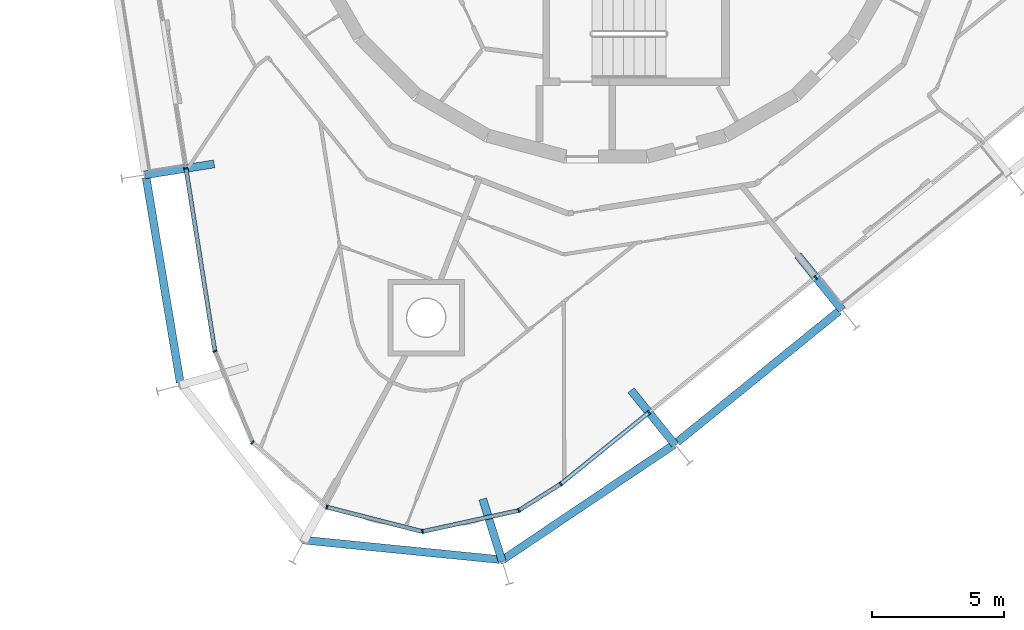
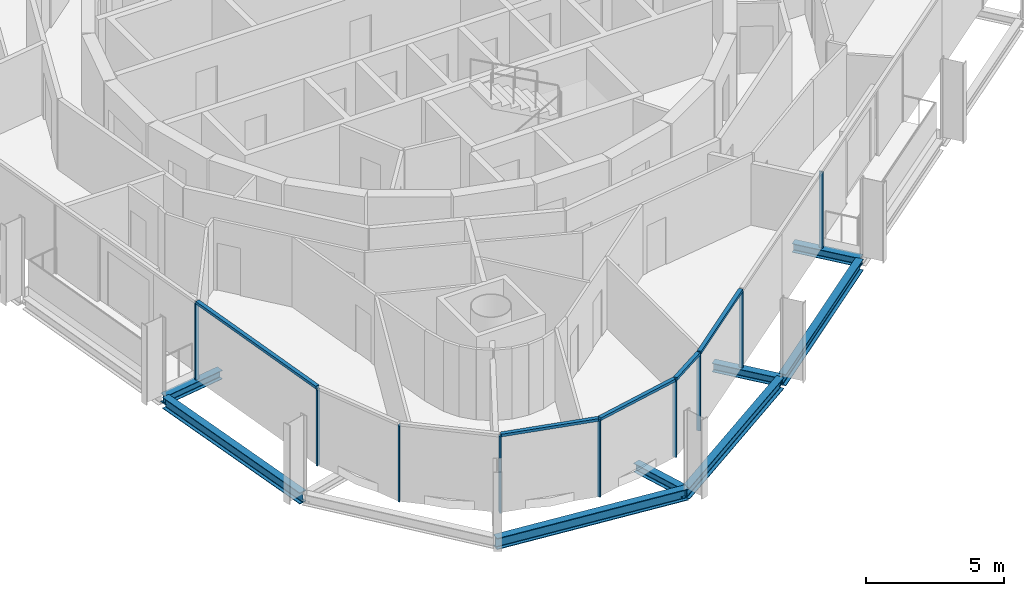
# One storey, part 2 of 18: 14 members, 8 beams, 2 elements without a shape of their own.
"""IFC4 building model written with IfcOpenShell, lengths in metres."""

from ifc_helpers import new_model, si_unit, direction, frame, origin, origin_2d, place, context, subcontext, project, spatial, rectangle, i_section, extrude, material, layer, layer_set, material_profile, profile_set, type_object, element, aggregate, save


model = new_model("IFC4")

# Units and contexts
model_context = context("Model", 3, precision=1e-05, world=origin(), true_north=direction((0.0, 1.0)))
body_context = subcontext(model_context, "Body", "Model", "MODEL_VIEW")
ifc_project = project(units=[si_unit("LENGTHUNIT", "METRE"), si_unit("AREAUNIT", "SQUARE_METRE"), si_unit("VOLUMEUNIT", "CUBIC_METRE"), si_unit("PLANEANGLEUNIT", "RADIAN"), si_unit("MASSUNIT", "GRAM", prefix="KILO")], contexts=[model_context])

# Site, building, storey
site_placement = place(None, origin())
site = spatial("IfcSite", under=ifc_project, at=site_placement, CompositionType="ELEMENT")
building_placement = place(site_placement, origin())
building = spatial("IfcBuilding", under=site, at=building_placement, Name="Spindle Arch Residences", CompositionType="ELEMENT")
storey_placement = place(building_placement, frame((0.0, 0.0, 280.89990234375)))
storey = spatial("IfcBuildingStorey", under=building, at=storey_placement, Name="L72", CompositionType="ELEMENT", Elevation=280.89990234375)

# Curtain wall, members
ifc_material_1 = material(Name="Aluminium bronze unitised frame with tinted glass", Category="aluminium")
ifc_layer_1 = layer(ifc_material_1, 0.159912109375)
ifc_layer_set_1 = layer_set([ifc_layer_1], Name="CW-D corner wall on the fillet arcs")
curtain_wall_type_1 = type_object("IfcCurtainWallType", Name="CW-D corner wall on the fillet arcs", PredefinedType="NOTDEFINED", material=ifc_layer_set_1)
curtain_wall_1_placement = place(storey_placement, origin())
curtain_wall_1 = element("IfcCurtainWall", 1, at=curtain_wall_1_placement, inside=storey, type_object=curtain_wall_type_1, Name="CW-D L72 run 5", PredefinedType="NOTDEFINED")
ifc_material_2 = material(Name="Aluminium bronze anodised mullion", Category="aluminium")
ifc_material_profile_1 = material_profile(ifc_material_2, rectangle(XDim=0.159912109375, YDim=0.06005859375, at=origin_2d()), Name="MU 60x160")
ifc_profile_set_1 = profile_set([ifc_material_profile_1], Name="Aluminium bronze anodised mullion")
member_type_1 = type_object("IfcMemberType", Name="Bronze mullion 60x160", PredefinedType="MULLION", material=ifc_profile_set_1)
member_1_placement = place(storey_placement, frame((-15.880615234375, -12.092041015625, -0.3798828125), z_axis=(0.0, 0.0, 1.0), x_axis=(0.987688340595, 0.15643446504, 0.0)))
member_1 = element("IfcMember", 2, at=member_1_placement, type_object=member_type_1, Name="CW-D mullion 00", PredefinedType="MULLION", context=body_context, shape_type="SweptSolid", body=[
    extrude(rectangle(XDim=0.159912109375, YDim=0.06005859375, at=origin_2d()), origin(), (0.0, 0.0, 1.0), 3.3798828125),
])
member_2_placement = place(storey_placement, frame((-14.787109375, -18.99560546875, -0.3798828125), z_axis=(0.0, 0.0, 1.0), x_axis=(0.92498880334, 0.379994360085, 0.0)))
member_2 = element("IfcMember", 3, at=member_2_placement, type_object=member_type_1, Name="CW-D mullion 01", PredefinedType="MULLION", context=body_context, shape_type="SweptSolid", body=[
    extrude(rectangle(XDim=0.159912109375, YDim=0.06005859375, at=origin_2d()), origin(), (0.0, 0.0, 1.0), 3.3798828125),
])
member_3_placement = place(storey_placement, frame((-13.370849609375, -22.44287109375, -0.3798828125), z_axis=(0.0, 0.0, 1.0), x_axis=(0.656059025711, 0.754709583074, 0.0)))
member_3 = element("IfcMember", 4, at=member_3_placement, type_object=member_type_1, Name="CW-D mullion 02", PredefinedType="MULLION", context=body_context, shape_type="SweptSolid", body=[
    extrude(rectangle(XDim=0.159912109375, YDim=0.06005859375, at=origin_2d()), origin(), (0.0, 0.0, 1.0), 3.3798828125),
])
member_4_placement = place(storey_placement, frame((-10.558349609375, -24.887939453125, -0.3798828125), z_axis=(0.0, 0.0, 1.0), x_axis=(0.247562720743, 0.968871869392, 0.0)))
member_4 = element("IfcMember", 5, at=member_4_placement, type_object=member_type_1, Name="CW-D mullion 03", PredefinedType="MULLION", context=body_context, shape_type="SweptSolid", body=[
    extrude(rectangle(XDim=0.159912109375, YDim=0.06005859375, at=origin_2d()), origin(), (0.0, 0.0, 1.0), 3.3798828125),
])
member_5_placement = place(storey_placement, frame((-6.947509765625, -25.810546875, -0.3798828125), z_axis=(0.0, 0.0, 1.0), x_axis=(-0.213598770213, 0.976921473489, 0.0)))
member_5 = element("IfcMember", 6, at=member_5_placement, type_object=member_type_1, Name="CW-D mullion 04", PredefinedType="MULLION", context=body_context, shape_type="SweptSolid", body=[
    extrude(rectangle(XDim=0.159912109375, YDim=0.06005859375, at=origin_2d()), origin(), (0.0, 0.0, 1.0), 3.3798828125),
])
member_6_placement = place(storey_placement, frame((-3.306884765625, -25.014404296875, -0.3798828125), z_axis=(0.0, 0.0, 1.0), x_axis=(-0.53484401224, 0.844950816658, 0.0)))
member_6 = element("IfcMember", 7, at=member_6_placement, type_object=member_type_1, Name="CW-D mullion 05", PredefinedType="MULLION", context=body_context, shape_type="SweptSolid", body=[
    extrude(rectangle(XDim=0.159912109375, YDim=0.06005859375, at=origin_2d()), origin(), (0.0, 0.0, 1.0), 3.3798828125),
])
member_7_placement = place(storey_placement, frame((-1.7216796875, -24.010986328125, -0.3798828125), z_axis=(0.0, 0.0, 1.0), x_axis=(-0.62932039105, 0.777145961457, 0.0)))
member_7 = element("IfcMember", 8, at=member_7_placement, type_object=member_type_1, Name="CW-D mullion 06", PredefinedType="MULLION", context=body_context, shape_type="SweptSolid", body=[
    extrude(rectangle(XDim=0.159912109375, YDim=0.06005859375, at=origin_2d()), origin(), (0.0, 0.0, 1.0), 3.3798828125),
])

ifc_material_3 = material(Name="Aluminium bronze unitised frame with tinted glass", Category="aluminium")
ifc_layer_2 = layer(ifc_material_3, 0.159912109375)
ifc_layer_set_2 = layer_set([ifc_layer_2], Name="CW-C typical residential unitised wall")
curtain_wall_type_2 = type_object("IfcCurtainWallType", Name="CW-C typical residential unitised wall", PredefinedType="NOTDEFINED", material=ifc_layer_set_2)
curtain_wall_2_placement = place(storey_placement, origin())
curtain_wall_2 = element("IfcCurtainWall", 9, at=curtain_wall_2_placement, inside=storey, type_object=curtain_wall_type_2, Name="CW-C L72 run 6", PredefinedType="NOTDEFINED")
member_8_placement = place(storey_placement, frame((1.610107421875, -21.31298828125, -0.3798828125), z_axis=(0.0, 0.0, 1.0), x_axis=(-0.62932039105, 0.777145961457, 0.0)))
member_8 = element("IfcMember", 10, at=member_8_placement, type_object=member_type_1, Name="CW-C mullion 18", PredefinedType="MULLION", context=body_context, shape_type="SweptSolid", body=[
    extrude(rectangle(XDim=0.159912109375, YDim=0.06005859375, at=origin_2d()), origin(), (0.0, 0.0, 1.0), 3.3798828125),
])
member_9_placement = place(storey_placement, frame((7.910888671875, -16.210693359375, -0.3798828125), z_axis=(0.0, 0.0, 1.0), x_axis=(-0.62932039105, 0.777145961457, 0.0)))
member_9 = element("IfcMember", 11, at=member_9_placement, type_object=member_type_1, Name="CW-C mullion 19", PredefinedType="MULLION", context=body_context, shape_type="SweptSolid", body=[
    extrude(rectangle(XDim=0.159912109375, YDim=0.06005859375, at=origin_2d()), origin(), (0.0, 0.0, 1.0), 3.3798828125),
])
aggregate(curtain_wall_2, [member_8, member_9])

# Member
ifc_material_4 = material(Name="Aluminium bronze anodised transom", Category="aluminium")
ifc_material_profile_2 = material_profile(ifc_material_4, rectangle(XDim=0.159912109375, YDim=0.1201171875, at=origin_2d()), Name="TR 120x160")
ifc_profile_set_2 = profile_set([ifc_material_profile_2], Name="Aluminium bronze anodised transom")
member_type_2 = type_object("IfcMemberType", Name="Bronze transom 120x160", PredefinedType="USERDEFINED", material=ifc_profile_set_2)
member_10_placement = place(storey_placement, frame((-15.875732421875, -12.12158203125, 3.06005859375), z_axis=(0.156423886955, -0.987690015941, 0.0), x_axis=(0.987690015941, 0.156423886955, 0.0)))
member_10 = element("IfcMember", 12, at=member_10_placement, type_object=member_type_2, Name="CW-D transom 00", ObjectType="TRANSOM", PredefinedType="USERDEFINED", context=body_context, shape_type="SweptSolid", body=[
    extrude(rectangle(XDim=0.159912109375, YDim=0.1201171875, at=origin_2d()), origin(), (0.0, 0.0, 1.0), 6.9296875),
])

member_11_placement = place(storey_placement, frame((-10.529296875, -24.895263671875, 3.06005859375), z_axis=(0.968876271824, -0.247545490561, 0.0), x_axis=(0.247545490561, 0.968876271824, 0.0)))
member_11 = element("IfcMember", 13, at=member_11_placement, type_object=member_type_2, Name="CW-D transom 03", ObjectType="TRANSOM", PredefinedType="USERDEFINED", context=body_context, shape_type="SweptSolid", body=[
    extrude(rectangle(XDim=0.159912109375, YDim=0.1201171875, at=origin_2d()), origin(), (0.0, 0.0, 1.0), 3.666748046875),
])

member_12_placement = place(storey_placement, frame((-6.918212890625, -25.803955078125, 3.06005859375), z_axis=(0.976920862917, 0.213601562721, 0.0), x_axis=(-0.213601562721, 0.976920862917, 0.0)))
member_12 = element("IfcMember", 14, at=member_12_placement, type_object=member_type_2, Name="CW-D transom 04", ObjectType="TRANSOM", PredefinedType="USERDEFINED", context=body_context, shape_type="SweptSolid", body=[
    extrude(rectangle(XDim=0.159912109375, YDim=0.1201171875, at=origin_2d()), origin(), (0.0, 0.0, 1.0), 3.666748046875),
])

member_13_placement = place(storey_placement, frame((-3.281494140625, -24.998291015625, 3.06005859375), z_axis=(0.844970968959, 0.534812174148, 0.0), x_axis=(-0.534812174148, 0.844970968959, 0.0)))
member_13 = element("IfcMember", 15, at=member_13_placement, type_object=member_type_2, Name="CW-D transom 05", ObjectType="TRANSOM", PredefinedType="USERDEFINED", context=body_context, shape_type="SweptSolid", body=[
    extrude(rectangle(XDim=0.159912109375, YDim=0.1201171875, at=origin_2d()), origin(), (0.0, 0.0, 1.0), 1.81591796875),
])

member_14_placement = place(storey_placement, frame((-1.6982421875, -23.9921875, 3.06005859375), z_axis=(0.777130537676, 0.629339437356, 0.0), x_axis=(-0.629339437356, 0.777130537676, 0.0)))
member_14 = element("IfcMember", 16, at=member_14_placement, type_object=member_type_2, Name="CW-D transom 06", ObjectType="TRANSOM", PredefinedType="USERDEFINED", context=body_context, shape_type="SweptSolid", body=[
    extrude(rectangle(XDim=0.159912109375, YDim=0.1201171875, at=origin_2d()), origin(), (0.0, 0.0, 1.0), 4.227294921875),
])

aggregate(curtain_wall_1, [member_1, member_10, member_2, member_3, member_4, member_11, member_5, member_12, member_6, member_13, member_7, member_14])

# Beams
ifc_material_5 = material(Name="Steel S460ML, intumescent coating R 120", Category="steel")
ifc_material_profile_3 = material_profile(ifc_material_5, i_section(OverallWidth=0.300048828125, OverallDepth=0.5, WebThickness=0.014404296875, FlangeThickness=0.028076171875, FilletRadius=0.027099609375, at=origin_2d()), Name="HEB 500")
ifc_profile_set_3 = profile_set([ifc_material_profile_3], Name="Steel S460ML, intumescent coating R 120")
beam_type_1 = type_object("IfcBeamType", Name="Exoskeleton edge beam HEB 500", PredefinedType="BEAM", material=ifc_profile_set_3)
beam_1_placement = place(storey_placement, frame((-17.385009765625, -12.43505859375, -0.6298828125), z_axis=(0.16393470778, -0.986471191462, 0.0), x_axis=(0.986471191462, 0.16393470778, 0.0)))
element("IfcBeam", 17, at=beam_1_placement, inside=storey, type_object=beam_type_1, Name="Exoskeleton edge beam 15", PredefinedType="BEAM", context=body_context, shape_type="SweptSolid", body=[
    extrude(i_section(OverallWidth=0.300048828125, OverallDepth=0.5, WebThickness=0.014404296875, FlangeThickness=0.028076171875, FilletRadius=0.027099609375, at=origin_2d()), origin(), (0.0, 0.0, 1.0), 7.845458984375),
])
beam_2_placement = place(storey_placement, frame((-11.474609375, -26.12890625, -0.6298828125), z_axis=(0.99510851629, -0.098787857593, 0.0), x_axis=(0.098787857593, 0.99510851629, 0.0)))
element("IfcBeam", 18, at=beam_2_placement, inside=storey, type_object=beam_type_1, Name="Exoskeleton edge beam 17", PredefinedType="BEAM", context=body_context, shape_type="SweptSolid", body=[
    extrude(i_section(OverallWidth=0.300048828125, OverallDepth=0.5, WebThickness=0.014404296875, FlangeThickness=0.028076171875, FilletRadius=0.027099609375, at=origin_2d()), origin(), (0.0, 0.0, 1.0), 7.631591796875),
])
beam_3_placement = place(storey_placement, frame((-3.9169921875, -26.877685546875, -0.6298828125), z_axis=(0.829907876947, 0.557900453291, 0.0), x_axis=(-0.557900453291, 0.829907876947, 0.0)))
element("IfcBeam", 19, at=beam_3_placement, inside=storey, type_object=beam_type_1, Name="Exoskeleton edge beam 18", PredefinedType="BEAM", context=body_context, shape_type="SweptSolid", body=[
    extrude(i_section(OverallWidth=0.300048828125, OverallDepth=0.5, WebThickness=0.014404296875, FlangeThickness=0.028076171875, FilletRadius=0.027099609375, at=origin_2d()), origin(), (0.0, 0.0, 1.0), 7.7890625),
])
beam_4_placement = place(storey_placement, frame((2.680419921875, -22.427978515625, -0.6298828125), z_axis=(0.777152125993, 0.629312778406, 0.0), x_axis=(-0.629312778406, 0.777152125993, 0.0)))
element("IfcBeam", 20, at=beam_4_placement, inside=storey, type_object=beam_type_1, Name="Exoskeleton edge beam 19", PredefinedType="BEAM", context=body_context, shape_type="SweptSolid", body=[
    extrude(i_section(OverallWidth=0.300048828125, OverallDepth=0.5, WebThickness=0.014404296875, FlangeThickness=0.028076171875, FilletRadius=0.027099609375, at=origin_2d()), origin(), (0.0, 0.0, 1.0), 7.847412109375),
])
ifc_material_6 = material(Name="Steel S460ML, intumescent coating R 120", Category="steel")
ifc_material_profile_4 = material_profile(ifc_material_6, i_section(OverallWidth=0.300048828125, OverallDepth=0.389892578125, WebThickness=0.010986328125, FlangeThickness=0.01904296875, FilletRadius=0.027099609375, at=origin_2d()), Name="HEA 400")
ifc_profile_set_4 = profile_set([ifc_material_profile_4], Name="Steel S460ML, intumescent coating R 120")
beam_type_2 = type_object("IfcBeamType", Name="Floor outrigger HEA 400", PredefinedType="BEAM", material=ifc_profile_set_4)
beam_5_placement = place(storey_placement, frame((-17.43115234375, -12.337646484375, -0.574951171875), z_axis=(0.987688904051, 0.156430907479, 0.0), x_axis=(-0.156430907479, 0.987688904051, 0.0)))
element("IfcBeam", 21, at=beam_5_placement, inside=storey, type_object=beam_type_2, Name="Floor outrigger 15", PredefinedType="BEAM", context=body_context, shape_type="SweptSolid", body=[
    extrude(i_section(OverallWidth=0.300048828125, OverallDepth=0.389892578125, WebThickness=0.010986328125, FlangeThickness=0.01904296875, FilletRadius=0.027099609375, at=origin_2d()), origin(), (0.0, 0.0, 1.0), 2.650146484375),
])
beam_6_placement = place(storey_placement, frame((-3.932373046875, -26.943603515625, -0.574951171875), z_axis=(-0.297848736129, 0.954613078889, 0.0), x_axis=(-0.954613078889, -0.297848736129, 0.0)))
element("IfcBeam", 22, at=beam_6_placement, inside=storey, type_object=beam_type_2, Name="Floor outrigger 18", PredefinedType="BEAM", context=body_context, shape_type="SweptSolid", body=[
    extrude(i_section(OverallWidth=0.300048828125, OverallDepth=0.389892578125, WebThickness=0.010986328125, FlangeThickness=0.01904296875, FilletRadius=0.027099609375, at=origin_2d()), origin(), (0.0, 0.0, 1.0), 2.478759765625),
])
for number, where, z_axis, x_axis, name in (
    (23, (2.59814453125, -22.533203125, -0.574951171875), (-0.629301579077, 0.777161194715, 0.0), (-0.777161194715, -0.629301579077, 0.0), "Floor outrigger 19"),
    (24, (8.89892578125, -17.430908203125, -0.574951171875), (-0.629301579077, 0.777161194715, 0.0), (-0.777161194715, -0.629301579077, 0.0), "Floor outrigger 20"),
):
    element("IfcBeam", number, at=place(storey_placement, frame(where, z_axis=z_axis, x_axis=x_axis)), inside=storey, type_object=beam_type_2, Name=name, PredefinedType="BEAM", context=body_context, shape_type="SweptSolid", body=[
        extrude(i_section(OverallWidth=0.300048828125, OverallDepth=0.389892578125, WebThickness=0.010986328125, FlangeThickness=0.01904296875, FilletRadius=0.027099609375, at=origin_2d()), origin(), (0.0, 0.0, 1.0), 2.650146484375),
    ])

save(model, "model.ifc")
